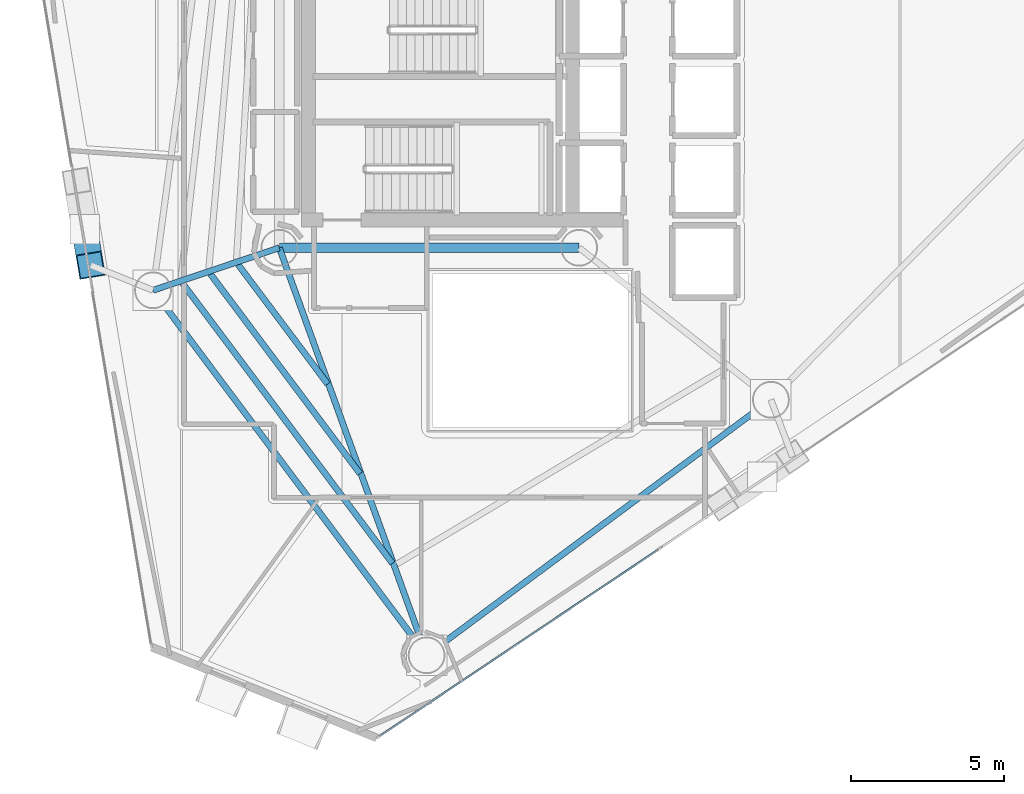
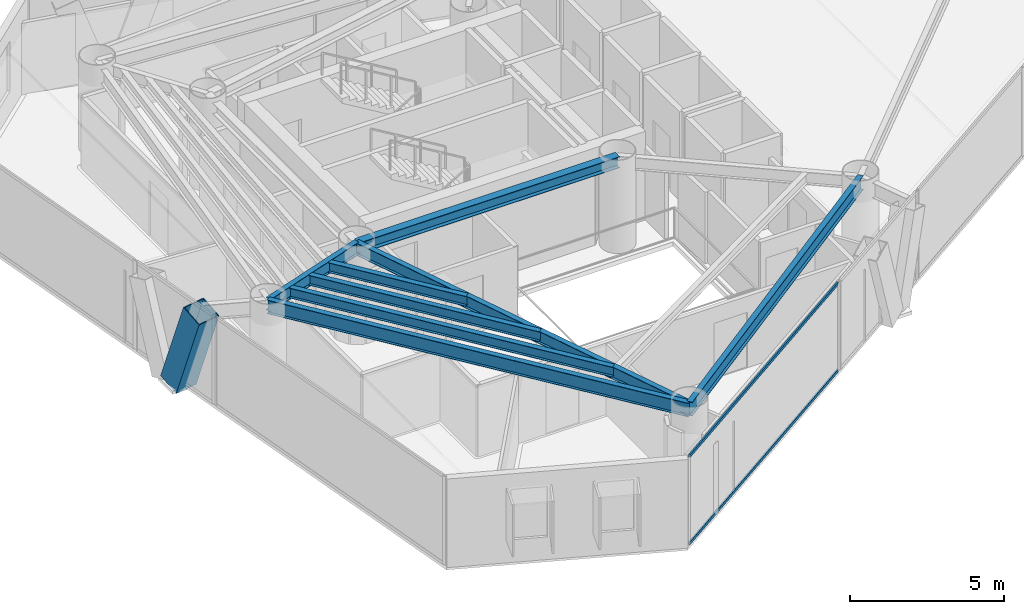
# One storey, part 3 of 21: 8 beams, 3 members, 1 element without a shape of its own.
"""IFC4 building model written with IfcOpenShell, lengths in metres."""

import ifcopenshell
import ifcopenshell.guid

model = None  # the IFC model being written
_history = None  # IfcOwnerHistory: only IFC2X3 demands one
_inside = {}  # id of a spatial element -> (the spatial element, [elements in it])
_under = {}  # id of a project, library or spatial element -> (it, [spatial elements below it])
_declared = {}  # id of a project -> (the project, [libraries it declares])
_typed = {}  # id of a type object -> (the type object, [elements of that type])
_made_of = {}  # id of a material, layer set ... -> (it, [elements and type objects made of it])


def new_model(schema):
    """Start an empty IFC model of exactly this schema.

    Asked for "IFC4X3", IfcOpenShell would pick the latest addendum, in which some entities
    have other attributes; the version numbers below select the first issue.
    IFC2X3 requires an IfcOwnerHistory on every rooted entity: one is made here for all.
    """
    global model, _history
    if schema == "IFC4X3":
        model = ifcopenshell.file(schema_version=(4, 3, 0, 0))
    else:
        model = ifcopenshell.file(schema=schema)
    _inside.clear()
    _under.clear()
    _declared.clear()
    _typed.clear()
    _made_of.clear()
    _history = None
    if model.schema == "IFC2X3":
        org = make("IfcOrganization", Name="unknown")
        user = make(
            "IfcPersonAndOrganization",
            ThePerson=make("IfcPerson", FamilyName="unknown"),
            TheOrganization=org,
        )
        app = make(
            "IfcApplication",
            ApplicationDeveloper=org,
            Version="unknown",
            ApplicationFullName="unknown",
            ApplicationIdentifier="unknown",
        )
        _history = make(
            "IfcOwnerHistory",
            OwningUser=user,
            OwningApplication=app,
            ChangeAction="ADDED",
            CreationDate=0,
        )
    return model


def make(cls, **values):
    """One entity of the class cls with the attributes given. An attribute that is None is left unset."""
    return model.create_entity(
        cls, **{name: value for name, value in values.items() if value is not None}
    )


def rooted(cls, **values):
    """An entity with a GlobalId (a new one), such as an element, a storey or a relation."""
    return make(cls, GlobalId=ifcopenshell.guid.new(), OwnerHistory=_history, **values)


def si_unit(unit_type, name, prefix=None):
    """IfcSIUnit, for example si_unit("LENGTHUNIT", "METRE", prefix="MILLI")."""
    return make("IfcSIUnit", UnitType=unit_type, Prefix=prefix, Name=name)


def assignment(units):
    """IfcUnitAssignment: the units of a project."""
    return None if units is None else make("IfcUnitAssignment", Units=units)


def point(xyz):
    """IfcCartesianPoint."""
    return None if xyz is None else make("IfcCartesianPoint", Coordinates=xyz)


def direction(xyz):
    """IfcDirection."""
    return None if xyz is None else make("IfcDirection", DirectionRatios=xyz)


def frame(location, z_axis=None, x_axis=None):
    """IfcAxis2Placement3D, a coordinate frame: its origin and axes. An axis left out is left unset."""
    return make(
        "IfcAxis2Placement3D",
        Location=point(location),
        Axis=direction(z_axis),
        RefDirection=direction(x_axis),
    )


def frame_2d(location, x_axis=None):
    """IfcAxis2Placement2D, a coordinate frame in the plane: its origin and x axis."""
    return make(
        "IfcAxis2Placement2D", Location=point(location), RefDirection=direction(x_axis)
    )


def origin():
    """The frame at (0, 0, 0) with its axes left unset."""
    return frame((0.0, 0.0, 0.0))


def origin_2d():
    """The frame at (0, 0) in the plane with its x axis left unset."""
    return frame_2d((0.0, 0.0))


def place(relative_to, where):
    """IfcLocalPlacement: puts the frame where relative to a parent placement (None: the world)."""
    return make(
        "IfcLocalPlacement", PlacementRelTo=relative_to, RelativePlacement=where
    )


def context(
    kind, dimensions, precision=None, world=None, true_north=None, identifier=None
):
    """IfcGeometricRepresentationContext, for example the 3D "Model" context."""
    return make(
        "IfcGeometricRepresentationContext",
        ContextIdentifier=identifier,
        ContextType=kind,
        CoordinateSpaceDimension=dimensions,
        Precision=precision,
        WorldCoordinateSystem=world,
        TrueNorth=true_north,
    )


def subcontext(parent, identifier, kind, view, scale=None):
    """IfcGeometricRepresentationSubContext, for example "Body" below "Model"."""
    return make(
        "IfcGeometricRepresentationSubContext",
        ContextIdentifier=identifier,
        ContextType=kind,
        ParentContext=parent,
        TargetScale=scale,
        TargetView=view,
    )


def project(units=None, contexts=None):
    """IfcProject with its units and contexts."""
    return rooted(
        "IfcProject",
        Name="project",
        RepresentationContexts=contexts,
        UnitsInContext=assignment(units),
    )


def spatial(cls, under=None, at=None, **own):
    """A site, building, storey or space (cls), placed at a placement, below another one or the project."""
    s = rooted(cls, ObjectPlacement=at, **own)
    if under is not None:
        _under.setdefault(under.id(), (under, []))[1].append(s)
    return s


def profile(cls, at=None, kind="AREA", **sizes):
    """A parametric profile (cls). Its sizes go by their IFC names, for example OverallWidth=200.0."""
    return make(cls, ProfileType=kind, Position=at, **sizes)


def hollow_rectangle(**sizes):
    """IfcRectangleHollowProfileDef."""
    return profile("IfcRectangleHollowProfileDef", **sizes)


def i_section(**sizes):
    """IfcIShapeProfileDef."""
    return profile("IfcIShapeProfileDef", **sizes)


def extrude(swept, where, along, depth):
    """IfcExtrudedAreaSolid: the profile swept, set in the frame where, extruded along a direction by depth."""
    return make(
        "IfcExtrudedAreaSolid",
        SweptArea=swept,
        Position=where,
        ExtrudedDirection=direction(along),
        Depth=depth,
    )


def shape(context_of_items, identifier, shape_type, items):
    """IfcShapeRepresentation: the items that make up one representation, for example the "Body"."""
    return make(
        "IfcShapeRepresentation",
        ContextOfItems=context_of_items,
        RepresentationIdentifier=identifier,
        RepresentationType=shape_type,
        Items=items,
    )


def material(Name=None, Category=None):
    """IfcMaterial."""
    return make("IfcMaterial", Name=Name, Category=Category)


def layer(
    of_material, thickness, ventilated=None, Name=None, Category=None, Priority=None
):
    """IfcMaterialLayer: one layer of a wall or slab, of a material (None: an air gap)."""
    return make(
        "IfcMaterialLayer",
        Material=of_material,
        LayerThickness=thickness,
        IsVentilated=ventilated,
        Name=Name,
        Category=Category,
        Priority=Priority,
    )


def layer_set(layers, Name=None):
    """IfcMaterialLayerSet."""
    return make("IfcMaterialLayerSet", MaterialLayers=layers, LayerSetName=Name)


def material_profile(
    of_material, cross_section, Name=None, Category=None, Priority=None
):
    """IfcMaterialProfile: a cross section and its material."""
    return make(
        "IfcMaterialProfile",
        Name=Name,
        Material=of_material,
        Profile=cross_section,
        Priority=Priority,
        Category=Category,
    )


def profile_set(profiles, Name=None, composite=None):
    """IfcMaterialProfileSet."""
    return make(
        "IfcMaterialProfileSet",
        Name=Name,
        MaterialProfiles=profiles,
        CompositeProfile=composite,
    )


def made_of(thing, what):
    """Note that an element or type object is made of a material, layer set ...; save() writes the relation."""
    if what is not None:
        _made_of.setdefault(what.id(), (what, []))[1].append(thing)
    return thing


def type_object(cls, material=None, **own):
    """A type object (cls), such as IfcWallType, which elements share."""
    return made_of(rooted(cls, **own), material)


def element(
    cls,
    number,
    at=None,
    inside=None,
    cuts=None,
    type_object=None,
    material=None,
    context=None,
    identifier="Body",
    shape_type=None,
    held_by="IfcProductDefinitionShape",
    body=None,
    shapes=None,
    **own,
):
    """One element of the class cls, such as IfcWall. Its Tag is "e" and its number.

    at: its placement. inside: the storey or other place that contains it. cuts: it is an
    opening in that element (IfcRelVoidsElement). A single representation is given by context,
    identifier, shape_type and body (its items); several are given by shapes. held_by: the class
    of the entity that holds the representations. save() writes the other relations.
    """
    e = rooted(cls, Tag="e%d" % number, ObjectPlacement=at, **own)
    if body is not None:
        shapes = [shape(context, identifier, shape_type, body)]
    if shapes is not None:
        e.Representation = make(held_by, Representations=shapes)
    if inside is not None:
        _inside.setdefault(inside.id(), (inside, []))[1].append(e)
    if cuts is not None:
        rooted(
            "IfcRelVoidsElement", RelatingBuildingElement=cuts, RelatedOpeningElement=e
        )
    if type_object is not None:
        _typed.setdefault(type_object.id(), (type_object, []))[1].append(e)
    return made_of(e, material)


def aggregate(whole, parts):
    """IfcRelAggregates: a whole, such as a stair, and the parts it consists of."""
    return rooted("IfcRelAggregates", RelatingObject=whole, RelatedObjects=parts)


def save(model, path):
    """Write the relations noted so far, then the file.

    IfcRelAggregates (storeys below a building ...), IfcRelContainedInSpatialStructure (elements
    in a storey), IfcRelDefinesByType, IfcRelAssociatesMaterial and IfcRelDeclares: one each for
    every whole, place, type object, material and project.
    """
    for whole, parts in _under.values():
        aggregate(whole, parts)
    for where, things in _inside.values():
        rooted(
            "IfcRelContainedInSpatialStructure",
            RelatedElements=things,
            RelatingStructure=where,
        )
    for kind, things in _typed.values():
        rooted("IfcRelDefinesByType", RelatedObjects=things, RelatingType=kind)
    for what, things in _made_of.values():
        rooted("IfcRelAssociatesMaterial", RelatedObjects=things, RelatingMaterial=what)
    for by, libraries in _declared.values():
        rooted("IfcRelDeclares", RelatingContext=by, RelatedDefinitions=libraries)
    model.write(path)


model = new_model("IFC4")

# Units and contexts
model_context = context("Model", 3, precision=1e-05, world=origin(), true_north=direction((0.0, 1.0)))
body_context = subcontext(model_context, "Body", "Model", "MODEL_VIEW")
ifc_project = project(units=[si_unit("LENGTHUNIT", "METRE"), si_unit("AREAUNIT", "SQUARE_METRE"), si_unit("VOLUMEUNIT", "CUBIC_METRE"), si_unit("PLANEANGLEUNIT", "RADIAN"), si_unit("MASSUNIT", "GRAM", prefix="KILO")], contexts=[model_context])

# Site, building, storey
site_placement = place(None, origin())
site = spatial("IfcSite", under=ifc_project, at=site_placement, CompositionType="ELEMENT")
building_placement = place(site_placement, origin())
building = spatial("IfcBuilding", under=site, at=building_placement, Name="Qianvela Tower", CompositionType="ELEMENT")
storey_placement = place(building_placement, frame((0.0, 0.0, 189.199951171875)))
storey = spatial("IfcBuildingStorey", under=building, at=storey_placement, Name="L48", CompositionType="ELEMENT", Elevation=189.199951171875)

# Beams
ifc_material_1 = material(Name="Steel Q355B", Category="steel")
ifc_material_profile_1 = material_profile(ifc_material_1, i_section(OverallWidth=0.300048828125, OverallDepth=0.43994140625, WebThickness=0.010986328125, FlangeThickness=0.01806640625, at=origin_2d()), Name="HM440x300x11x18")
ifc_profile_set_1 = profile_set([ifc_material_profile_1], Name="Steel Q355B")
beam_type_1 = type_object("IfcBeamType", Name="BM-HM440-COLL", PredefinedType="BEAM", material=ifc_profile_set_1)
beam_1_placement = place(storey_placement, frame((28.60009765625, 23.85009765625, 3.298095703125), z_axis=(1.0, 0.0, 0.0), x_axis=(0.0, 1.0, 0.0)))
element("IfcBeam", 1, at=beam_1_placement, inside=storey, type_object=beam_type_1, Name="L48 Core Ring Collector Girder CC1", PredefinedType="BEAM", context=body_context, shape_type="SweptSolid", body=[
    extrude(i_section(OverallWidth=0.300048828125, OverallDepth=0.43994140625, WebThickness=0.010986328125, FlangeThickness=0.01806640625, at=origin_2d()), origin(), (0.0, 0.0, 1.0), 9.7998046875),
])
ifc_material_2 = material(Name="Steel Q355B", Category="steel")
ifc_material_profile_2 = material_profile(ifc_material_2, i_section(OverallWidth=0.199951171875, OverallDepth=0.39990234375, WebThickness=0.008056640625, FlangeThickness=0.012939453125, at=origin_2d()), Name="HN400x200x8x13")
ifc_profile_set_2 = profile_set([ifc_material_profile_2], Name="Steel Q355B")
beam_type_2 = type_object("IfcBeamType", Name="BM-HN400-JOIST", PredefinedType="JOIST", material=ifc_profile_set_2)
beam_2_placement = place(storey_placement, frame((27.254150390625, 23.300537109375, 3.318115234375), z_axis=(0.599735620965, -0.800198216035, 0.0), x_axis=(0.800198216035, 0.599735620965, 0.0)))
element("IfcBeam", 2, at=beam_2_placement, inside=storey, type_object=beam_type_2, Name="L48 Secondary Composite Floor Joist 4.1", PredefinedType="JOIST", context=body_context, shape_type="SweptSolid", body=[
    extrude(i_section(OverallWidth=0.199951171875, OverallDepth=0.39990234375, WebThickness=0.008056640625, FlangeThickness=0.012939453125, at=origin_2d()), origin(), (0.0, 0.0, 1.0), 4.87646484375),
])
beam_3_placement = place(storey_placement, frame((26.345947265625, 22.994873046875, 3.318115234375), z_axis=(0.59975572356, -0.800183149071, 0.0), x_axis=(0.800183149071, 0.59975572356, 0.0)))
element("IfcBeam", 3, at=beam_3_placement, inside=storey, type_object=beam_type_2, Name="L48 Secondary Composite Floor Joist 4.2", PredefinedType="JOIST", context=body_context, shape_type="SweptSolid", body=[
    extrude(i_section(OverallWidth=0.199951171875, OverallDepth=0.39990234375, WebThickness=0.008056640625, FlangeThickness=0.012939453125, at=origin_2d()), origin(), (0.0, 0.0, 1.0), 8.156494140625),
])
beam_4_placement = place(storey_placement, frame((25.437744140625, 22.68896484375, 3.318115234375), z_axis=(0.599760871552, -0.800179290507, 0.0), x_axis=(0.800179290507, 0.599760871552, 0.0)))
element("IfcBeam", 4, at=beam_4_placement, inside=storey, type_object=beam_type_2, Name="L48 Secondary Composite Floor Joist 4.3", PredefinedType="JOIST", context=body_context, shape_type="SweptSolid", body=[
    extrude(i_section(OverallWidth=0.199951171875, OverallDepth=0.39990234375, WebThickness=0.008056640625, FlangeThickness=0.012939453125, at=origin_2d()), origin(), (0.0, 0.0, 1.0), 11.43603515625),
])
ifc_material_3 = material(Name="Steel Q355B", Category="steel")
ifc_material_profile_3 = material_profile(ifc_material_3, i_section(OverallWidth=0.199951171875, OverallDepth=0.5, WebThickness=0.010009765625, FlangeThickness=0.01611328125, at=origin_2d()), Name="HN500x200x10x16")
ifc_profile_set_3 = profile_set([ifc_material_profile_3], Name="Steel Q355B")
beam_type_3 = type_object("IfcBeamType", Name="BM-HN500-GIRD", PredefinedType="BEAM", material=ifc_profile_set_3)
beam_5_placement = place(storey_placement, frame((28.60009765625, 23.85009765625, 3.26806640625), z_axis=(-0.947709214586, -0.319135150976, 0.0), x_axis=(0.319135150976, -0.947709214586, 0.0)))
element("IfcBeam", 5, at=beam_5_placement, inside=storey, type_object=beam_type_3, Name="L48 Radial Primary Floor Girder 4", PredefinedType="BEAM", context=body_context, shape_type="SweptSolid", body=[
    extrude(i_section(OverallWidth=0.199951171875, OverallDepth=0.5, WebThickness=0.010009765625, FlangeThickness=0.01611328125, at=origin_2d()), origin(), (0.0, 0.0, 1.0), 4.35595703125),
])
beam_6_placement = place(storey_placement, frame((28.60009765625, 23.85009765625, 3.26806640625), z_axis=(0.339851607149, -0.940479072132, 0.0), x_axis=(0.940479072132, 0.339851607149, 0.0)))
element("IfcBeam", 6, at=beam_6_placement, inside=storey, type_object=beam_type_3, Name="L48 Radial Primary Floor Girder 5", PredefinedType="BEAM", context=body_context, shape_type="SweptSolid", body=[
    extrude(i_section(OverallWidth=0.199951171875, OverallDepth=0.5, WebThickness=0.010009765625, FlangeThickness=0.01611328125, at=origin_2d()), origin(), (0.0, 0.0, 1.0), 14.162109375),
])
ifc_material_4 = material(Name="Steel Q355B", Category="steel")
ifc_material_profile_4 = material_profile(ifc_material_4, i_section(OverallWidth=0.199951171875, OverallDepth=0.550048828125, WebThickness=0.010009765625, FlangeThickness=0.01611328125, at=origin_2d()), Name="HN550x200x10x16")
ifc_profile_set_4 = profile_set([ifc_material_profile_4], Name="Steel Q355B")
beam_type_4 = type_object("IfcBeamType", Name="BM-HN550-GIRD", PredefinedType="BEAM", material=ifc_profile_set_4)
beam_7_placement = place(storey_placement, frame((24.471923828125, 22.4599609375, 3.2431640625), z_axis=(0.599761529533, -0.800178797327, 0.0), x_axis=(0.800178797327, 0.599761529533, 0.0)))
element("IfcBeam", 7, at=beam_7_placement, inside=storey, type_object=beam_type_4, Name="L48 Perimeter Ring Spandrel Girder 4", PredefinedType="BEAM", context=body_context, shape_type="SweptSolid", body=[
    extrude(i_section(OverallWidth=0.199951171875, OverallDepth=0.550048828125, WebThickness=0.010009765625, FlangeThickness=0.01611328125, at=origin_2d()), origin(), (0.0, 0.0, 1.0), 14.907958984375),
])
beam_8_placement = place(storey_placement, frame((33.4130859375, 10.531005859375, 3.2431640625), z_axis=(0.803016810701, 0.595956375696, 0.0), x_axis=(-0.595956375696, 0.803016810701, 0.0)))
element("IfcBeam", 8, at=beam_8_placement, inside=storey, type_object=beam_type_4, Name="L48 Perimeter Ring Spandrel Girder 5", PredefinedType="BEAM", context=body_context, shape_type="SweptSolid", body=[
    extrude(i_section(OverallWidth=0.199951171875, OverallDepth=0.550048828125, WebThickness=0.010009765625, FlangeThickness=0.01611328125, at=origin_2d()), origin(), (0.0, 0.0, 1.0), 14.0146484375),
])

# Curtain wall, members
ifc_material_5 = material(Name="Anodised Architectural Aluminium and Low-E Glass", Category="aluminium")
ifc_layer = layer(ifc_material_5, 0.159912109375)
ifc_layer_set = layer_set([ifc_layer], Name="Anodised Architectural Aluminium and Low-E Glass")
curtain_wall_type = type_object("IfcCurtainWallType", Name="CW-COLIV-Z56", PredefinedType="USERDEFINED", material=ifc_layer_set)
curtain_wall_placement = place(storey_placement, origin())
curtain_wall = element("IfcCurtainWall", 9, at=curtain_wall_placement, inside=storey, type_object=curtain_wall_type, Name="L48 CW-COLIV-Z56 Curtain Wall 06A", ObjectType="CURTAIN_WALL_SYSTEM", PredefinedType="USERDEFINED")
ifc_material_6 = material(Name="Anodised Architectural Aluminium 6063-T6", Category="aluminium")
ifc_material_profile_5 = material_profile(ifc_material_6, hollow_rectangle(XDim=0.06005859375, YDim=0.114990234375, WallThickness=0.00390625, at=origin_2d()), Name="ALU-TRAN-60x115")
ifc_profile_set_5 = profile_set([ifc_material_profile_5], Name="Anodised Architectural Aluminium 6063-T6")
member_type_1 = type_object("IfcMemberType", Name="CW-COLIV-Z56-TRAN", PredefinedType="USERDEFINED", material=ifc_profile_set_5)
member_1_placement = place(storey_placement, frame((31.87841796875, 7.891357421875, 0.030029296875), z_axis=(0.831049845296, 0.556197945549, 0.0), x_axis=(-0.556197945549, 0.831049845296, 0.0)))
member_1 = element("IfcMember", 10, at=member_1_placement, type_object=member_type_1, Name="CW-5 transom 1.1", ObjectType="TRANSOM", PredefinedType="USERDEFINED", context=body_context, shape_type="SweptSolid", body=[
    extrude(hollow_rectangle(XDim=0.06005859375, YDim=0.114990234375, WallThickness=0.00390625, at=origin_2d()), origin(), (0.0, 0.0, 1.0), 10.93994140625),
])
member_2_placement = place(storey_placement, frame((31.87841796875, 7.891357421875, 3.489990234375), z_axis=(0.831049845296, 0.556197945549, 0.0), x_axis=(-0.556197945549, 0.831049845296, 0.0)))
member_2 = element("IfcMember", 11, at=member_2_placement, type_object=member_type_1, Name="CW-5 transom 1.2", ObjectType="TRANSOM", PredefinedType="USERDEFINED", context=body_context, shape_type="SweptSolid", body=[
    extrude(hollow_rectangle(XDim=0.06005859375, YDim=0.114990234375, WallThickness=0.00390625, at=origin_2d()), origin(), (0.0, 0.0, 1.0), 10.93994140625),
])
aggregate(curtain_wall, [member_1, member_2])

# Member
ifc_material_7 = material(Name="Steel Q420GJC", Category="steel")
ifc_material_profile_6 = material_profile(ifc_material_7, hollow_rectangle(XDim=0.85009765625, YDim=0.85009765625, WallThickness=0.031982421875, at=origin_2d()), Name="MBOX-850x850x32")
ifc_profile_set_6 = profile_set([ifc_material_profile_6], Name="Steel Q420GJC")
member_type_2 = type_object("IfcMemberType", Name="MBR-MBRACE-850", PredefinedType="BRACE", material=ifc_profile_set_6)
member_3_placement = place(storey_placement, frame((22.240478515625, 24.435546875, -0.139892578125), z_axis=(0.054029182774, -0.324792965316, 0.944240635162), x_axis=(0.986444594707, 0.164094672592, 0.0)))
element("IfcMember", 12, at=member_3_placement, inside=storey, type_object=member_type_2, Name="L48 Tier 8 Exterior Mega-Brace F2B", PredefinedType="BRACE", context=body_context, shape_type="SweptSolid", body=[
    extrude(hollow_rectangle(XDim=0.85009765625, YDim=0.85009765625, WallThickness=0.031982421875, at=origin_2d()), origin(), (0.0, 0.0, 1.0), 3.55615234375),
])

save(model, "model.ifc")
